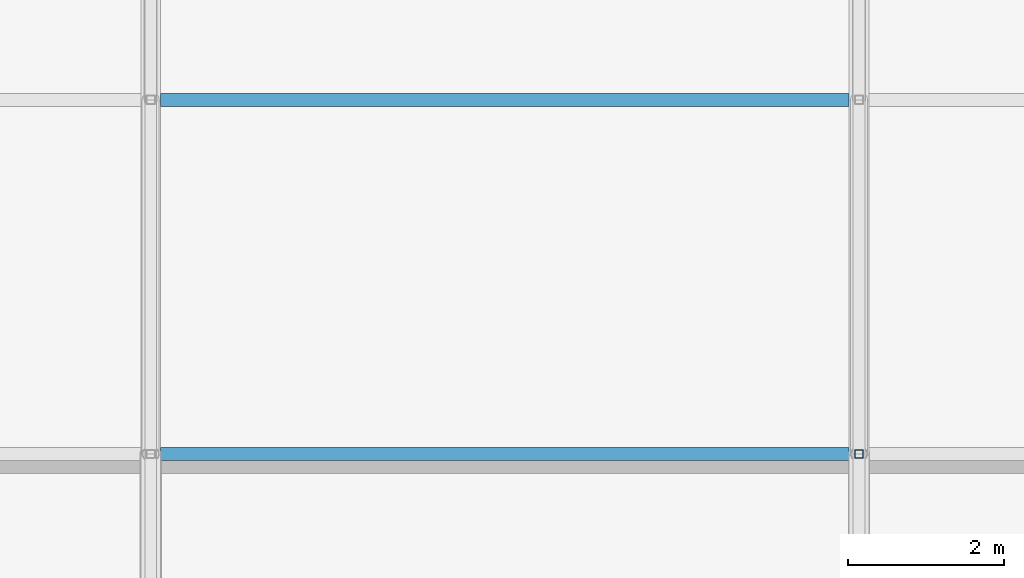
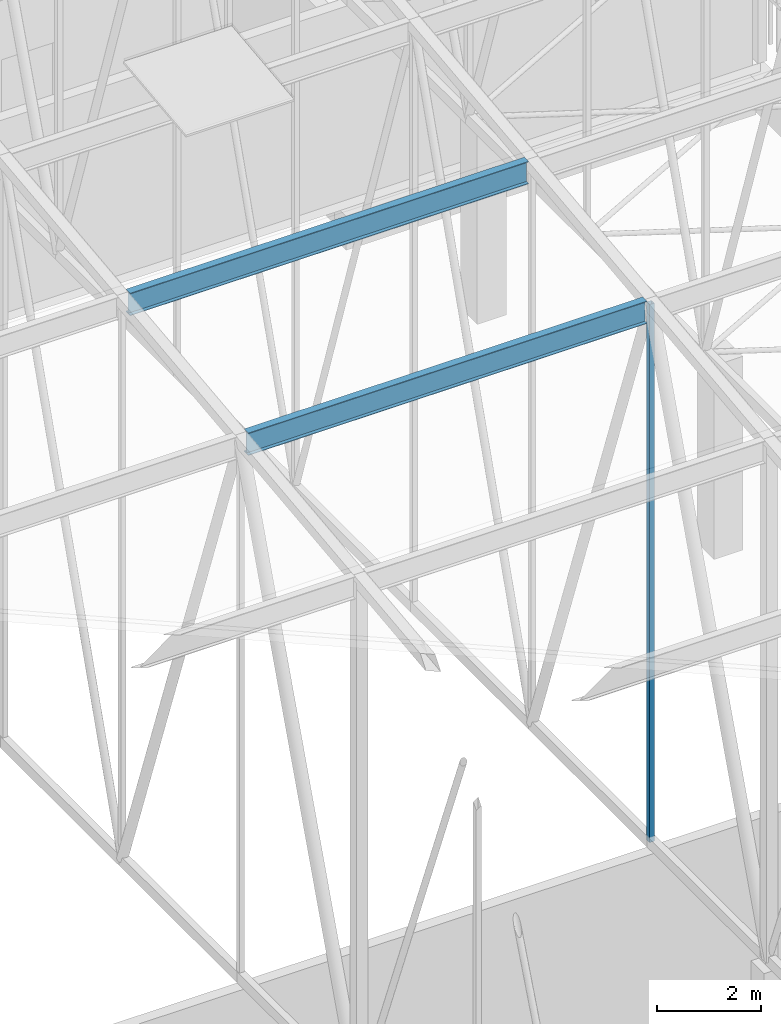
# One storey, part 358 of 500: 3 members.
"""IFC4 building model written with IfcOpenShell, lengths in metres."""

from ifc_helpers import new_model, si_unit, direction, frame, origin, origin_2d, place, context, subcontext, project, spatial, hollow_rectangle, i_section, extrude, material, material_profile, profile_set, type_object, element, save


model = new_model("IFC4")

# Units and contexts
model_context = context("Model", 3, precision=1e-05, world=origin(), true_north=direction((0.0, 1.0)))
body_context = subcontext(model_context, "Body", "Model", "MODEL_VIEW")
ifc_project = project(units=[si_unit("LENGTHUNIT", "METRE"), si_unit("AREAUNIT", "SQUARE_METRE"), si_unit("VOLUMEUNIT", "CUBIC_METRE"), si_unit("PLANEANGLEUNIT", "RADIAN"), si_unit("MASSUNIT", "GRAM", prefix="KILO")], contexts=[model_context])

# Site, building, storey
site_placement = place(None, origin())
site = spatial("IfcSite", under=ifc_project, at=site_placement, CompositionType="ELEMENT")
building_placement = place(site_placement, origin())
building = spatial("IfcBuilding", under=site, at=building_placement, Name="Shirokan Park Arena", CompositionType="ELEMENT")
storey_placement = place(building_placement, frame((0.0, 0.0, 29.1201171875)))
storey = spatial("IfcBuildingStorey", under=building, at=storey_placement, Name="L06", CompositionType="ELEMENT", Elevation=29.1201171875)

# Members
ifc_material_1 = material(Name="Steel ASTM A992", Category="steel")
ifc_material_profile_1 = material_profile(ifc_material_1, i_section(OverallWidth=0.166015625, OverallDepth=0.528076171875, WebThickness=0.009765625, FlangeThickness=0.013671875, at=origin_2d()), Name="W530X74")
ifc_profile_set_1 = profile_set([ifc_material_profile_1], Name="Steel ASTM A992")
member_type_1 = type_object("IfcMemberType", Name="Purlin W530X74", PredefinedType="PURLIN", material=ifc_profile_set_1)
for number, where, z_axis, x_axis, name in (
    (1, (118.427001953125, 40.949951171875, 17.165771484375), (1.0, 0.0, 0.0), (0.0, 1.0, 0.0), "Purlin 12 bay 14"),
    (2, (118.427001953125, 45.5, 17.685791015625), (1.0, 0.0, 0.0), (0.0, 1.0, 0.0), "Purlin 13 bay 14"),
):
    element("IfcMember", number, at=place(storey_placement, frame(where, z_axis=z_axis, x_axis=x_axis)), inside=storey, type_object=member_type_1, Name=name, PredefinedType="PURLIN", context=body_context, shape_type="SweptSolid", body=[
        extrude(i_section(OverallWidth=0.166015625, OverallDepth=0.528076171875, WebThickness=0.009765625, FlangeThickness=0.013671875, at=origin_2d()), origin(), (0.0, 0.0, 1.0), 8.845947265625),
    ])
ifc_material_2 = material(Name="Steel ASTM A500 Grade C", Category="steel")
ifc_material_profile_2 = material_profile(ifc_material_2, hollow_rectangle(XDim=0.114013671875, YDim=0.114013671875, WallThickness=0.00634765625, at=origin_2d()), Name="HSS114.3X114.3X6.4")
ifc_profile_set_2 = profile_set([ifc_material_profile_2], Name="Steel ASTM A500 Grade C")
member_type_2 = type_object("IfcMemberType", Name="Truss post HSS114.3X114.3X6.4", PredefinedType="POST", material=ifc_profile_set_2)
member_placement = place(storey_placement, frame((127.39990234375, 40.949951171875, 4.677001953125), z_axis=(0.0, 0.0, 1.0), x_axis=(1.0, 0.0, 0.0)))
element("IfcMember", 3, at=member_placement, inside=storey, type_object=member_type_2, Name="Truss T15 post 12", PredefinedType="POST", context=body_context, shape_type="SweptSolid", body=[
    extrude(hollow_rectangle(XDim=0.114013671875, YDim=0.114013671875, WallThickness=0.00634765625, at=origin_2d()), origin(), (0.0, 0.0, 1.0), 12.6259765625),
])

save(model, "model.ifc")
